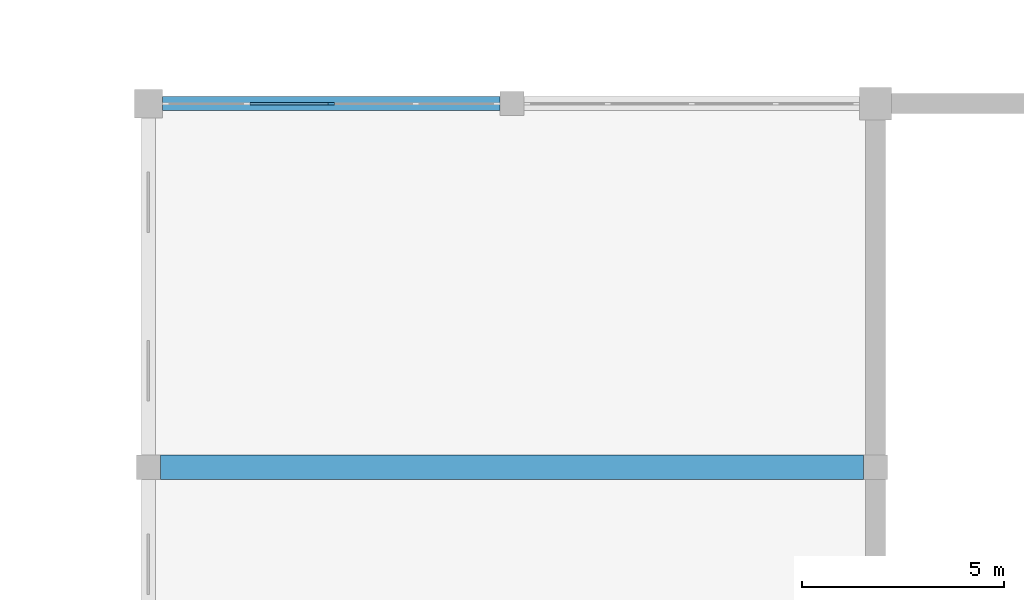
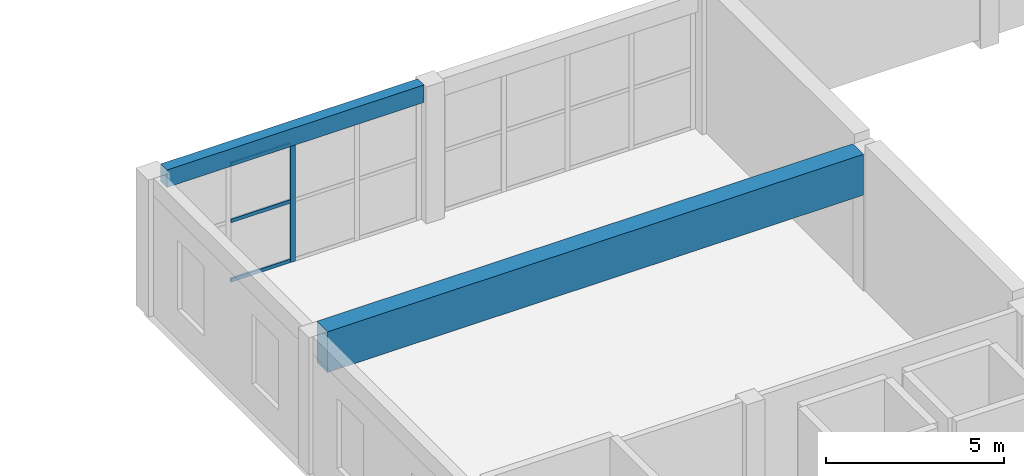
# One storey, part 10 of 34: 4 members, 2 beams, 1 element without a shape of its own.
"""IFC4 building model written with IfcOpenShell, lengths in metres."""

import ifcopenshell
import ifcopenshell.guid

model = None  # the IFC model being written
_history = None  # IfcOwnerHistory: only IFC2X3 demands one
_inside = {}  # id of a spatial element -> (the spatial element, [elements in it])
_under = {}  # id of a project, library or spatial element -> (it, [spatial elements below it])
_declared = {}  # id of a project -> (the project, [libraries it declares])
_typed = {}  # id of a type object -> (the type object, [elements of that type])
_made_of = {}  # id of a material, layer set ... -> (it, [elements and type objects made of it])


def new_model(schema):
    """Start an empty IFC model of exactly this schema.

    Asked for "IFC4X3", IfcOpenShell would pick the latest addendum, in which some entities
    have other attributes; the version numbers below select the first issue.
    IFC2X3 requires an IfcOwnerHistory on every rooted entity: one is made here for all.
    """
    global model, _history
    if schema == "IFC4X3":
        model = ifcopenshell.file(schema_version=(4, 3, 0, 0))
    else:
        model = ifcopenshell.file(schema=schema)
    _inside.clear()
    _under.clear()
    _declared.clear()
    _typed.clear()
    _made_of.clear()
    _history = None
    if model.schema == "IFC2X3":
        org = make("IfcOrganization", Name="unknown")
        user = make(
            "IfcPersonAndOrganization",
            ThePerson=make("IfcPerson", FamilyName="unknown"),
            TheOrganization=org,
        )
        app = make(
            "IfcApplication",
            ApplicationDeveloper=org,
            Version="unknown",
            ApplicationFullName="unknown",
            ApplicationIdentifier="unknown",
        )
        _history = make(
            "IfcOwnerHistory",
            OwningUser=user,
            OwningApplication=app,
            ChangeAction="ADDED",
            CreationDate=0,
        )
    return model


def make(cls, **values):
    """One entity of the class cls with the attributes given. An attribute that is None is left unset."""
    return model.create_entity(
        cls, **{name: value for name, value in values.items() if value is not None}
    )


def rooted(cls, **values):
    """An entity with a GlobalId (a new one), such as an element, a storey or a relation."""
    return make(cls, GlobalId=ifcopenshell.guid.new(), OwnerHistory=_history, **values)


def si_unit(unit_type, name, prefix=None):
    """IfcSIUnit, for example si_unit("LENGTHUNIT", "METRE", prefix="MILLI")."""
    return make("IfcSIUnit", UnitType=unit_type, Prefix=prefix, Name=name)


def assignment(units):
    """IfcUnitAssignment: the units of a project."""
    return None if units is None else make("IfcUnitAssignment", Units=units)


def point(xyz):
    """IfcCartesianPoint."""
    return None if xyz is None else make("IfcCartesianPoint", Coordinates=xyz)


def direction(xyz):
    """IfcDirection."""
    return None if xyz is None else make("IfcDirection", DirectionRatios=xyz)


def frame(location, z_axis=None, x_axis=None):
    """IfcAxis2Placement3D, a coordinate frame: its origin and axes. An axis left out is left unset."""
    return make(
        "IfcAxis2Placement3D",
        Location=point(location),
        Axis=direction(z_axis),
        RefDirection=direction(x_axis),
    )


def frame_2d(location, x_axis=None):
    """IfcAxis2Placement2D, a coordinate frame in the plane: its origin and x axis."""
    return make(
        "IfcAxis2Placement2D", Location=point(location), RefDirection=direction(x_axis)
    )


def origin():
    """The frame at (0, 0, 0) with its axes left unset."""
    return frame((0.0, 0.0, 0.0))


def origin_2d():
    """The frame at (0, 0) in the plane with its x axis left unset."""
    return frame_2d((0.0, 0.0))


def place(relative_to, where):
    """IfcLocalPlacement: puts the frame where relative to a parent placement (None: the world)."""
    return make(
        "IfcLocalPlacement", PlacementRelTo=relative_to, RelativePlacement=where
    )


def context(
    kind, dimensions, precision=None, world=None, true_north=None, identifier=None
):
    """IfcGeometricRepresentationContext, for example the 3D "Model" context."""
    return make(
        "IfcGeometricRepresentationContext",
        ContextIdentifier=identifier,
        ContextType=kind,
        CoordinateSpaceDimension=dimensions,
        Precision=precision,
        WorldCoordinateSystem=world,
        TrueNorth=true_north,
    )


def subcontext(parent, identifier, kind, view, scale=None):
    """IfcGeometricRepresentationSubContext, for example "Body" below "Model"."""
    return make(
        "IfcGeometricRepresentationSubContext",
        ContextIdentifier=identifier,
        ContextType=kind,
        ParentContext=parent,
        TargetScale=scale,
        TargetView=view,
    )


def project(units=None, contexts=None):
    """IfcProject with its units and contexts."""
    return rooted(
        "IfcProject",
        Name="project",
        RepresentationContexts=contexts,
        UnitsInContext=assignment(units),
    )


def spatial(cls, under=None, at=None, **own):
    """A site, building, storey or space (cls), placed at a placement, below another one or the project."""
    s = rooted(cls, ObjectPlacement=at, **own)
    if under is not None:
        _under.setdefault(under.id(), (under, []))[1].append(s)
    return s


def profile(cls, at=None, kind="AREA", **sizes):
    """A parametric profile (cls). Its sizes go by their IFC names, for example OverallWidth=200.0."""
    return make(cls, ProfileType=kind, Position=at, **sizes)


def rectangle(**sizes):
    """IfcRectangleProfileDef."""
    return profile("IfcRectangleProfileDef", **sizes)


def extrude(swept, where, along, depth):
    """IfcExtrudedAreaSolid: the profile swept, set in the frame where, extruded along a direction by depth."""
    return make(
        "IfcExtrudedAreaSolid",
        SweptArea=swept,
        Position=where,
        ExtrudedDirection=direction(along),
        Depth=depth,
    )


def shape(context_of_items, identifier, shape_type, items):
    """IfcShapeRepresentation: the items that make up one representation, for example the "Body"."""
    return make(
        "IfcShapeRepresentation",
        ContextOfItems=context_of_items,
        RepresentationIdentifier=identifier,
        RepresentationType=shape_type,
        Items=items,
    )


def material(Name=None, Category=None):
    """IfcMaterial."""
    return make("IfcMaterial", Name=Name, Category=Category)


def material_profile(
    of_material, cross_section, Name=None, Category=None, Priority=None
):
    """IfcMaterialProfile: a cross section and its material."""
    return make(
        "IfcMaterialProfile",
        Name=Name,
        Material=of_material,
        Profile=cross_section,
        Priority=Priority,
        Category=Category,
    )


def profile_set(profiles, Name=None, composite=None):
    """IfcMaterialProfileSet."""
    return make(
        "IfcMaterialProfileSet",
        Name=Name,
        MaterialProfiles=profiles,
        CompositeProfile=composite,
    )


def made_of(thing, what):
    """Note that an element or type object is made of a material, layer set ...; save() writes the relation."""
    if what is not None:
        _made_of.setdefault(what.id(), (what, []))[1].append(thing)
    return thing


def type_object(cls, material=None, **own):
    """A type object (cls), such as IfcWallType, which elements share."""
    return made_of(rooted(cls, **own), material)


def element(
    cls,
    number,
    at=None,
    inside=None,
    cuts=None,
    type_object=None,
    material=None,
    context=None,
    identifier="Body",
    shape_type=None,
    held_by="IfcProductDefinitionShape",
    body=None,
    shapes=None,
    **own,
):
    """One element of the class cls, such as IfcWall. Its Tag is "e" and its number.

    at: its placement. inside: the storey or other place that contains it. cuts: it is an
    opening in that element (IfcRelVoidsElement). A single representation is given by context,
    identifier, shape_type and body (its items); several are given by shapes. held_by: the class
    of the entity that holds the representations. save() writes the other relations.
    """
    e = rooted(cls, Tag="e%d" % number, ObjectPlacement=at, **own)
    if body is not None:
        shapes = [shape(context, identifier, shape_type, body)]
    if shapes is not None:
        e.Representation = make(held_by, Representations=shapes)
    if inside is not None:
        _inside.setdefault(inside.id(), (inside, []))[1].append(e)
    if cuts is not None:
        rooted(
            "IfcRelVoidsElement", RelatingBuildingElement=cuts, RelatedOpeningElement=e
        )
    if type_object is not None:
        _typed.setdefault(type_object.id(), (type_object, []))[1].append(e)
    return made_of(e, material)


def aggregate(whole, parts):
    """IfcRelAggregates: a whole, such as a stair, and the parts it consists of."""
    return rooted("IfcRelAggregates", RelatingObject=whole, RelatedObjects=parts)


def save(model, path):
    """Write the relations noted so far, then the file.

    IfcRelAggregates (storeys below a building ...), IfcRelContainedInSpatialStructure (elements
    in a storey), IfcRelDefinesByType, IfcRelAssociatesMaterial and IfcRelDeclares: one each for
    every whole, place, type object, material and project.
    """
    for whole, parts in _under.values():
        aggregate(whole, parts)
    for where, things in _inside.values():
        rooted(
            "IfcRelContainedInSpatialStructure",
            RelatedElements=things,
            RelatingStructure=where,
        )
    for kind, things in _typed.values():
        rooted("IfcRelDefinesByType", RelatedObjects=things, RelatingType=kind)
    for what, things in _made_of.values():
        rooted("IfcRelAssociatesMaterial", RelatedObjects=things, RelatingMaterial=what)
    for by, libraries in _declared.values():
        rooted("IfcRelDeclares", RelatingContext=by, RelatedDefinitions=libraries)
    model.write(path)


model = new_model("IFC4")

# Units and contexts
model_context = context("Model", 3, precision=1e-05, world=origin(), true_north=direction((0.0, 1.0)))
body_context = subcontext(model_context, "Body", "Model", "MODEL_VIEW")
ifc_project = project(units=[si_unit("LENGTHUNIT", "METRE"), si_unit("AREAUNIT", "SQUARE_METRE"), si_unit("VOLUMEUNIT", "CUBIC_METRE"), si_unit("PLANEANGLEUNIT", "RADIAN"), si_unit("MASSUNIT", "GRAM", prefix="KILO")], contexts=[model_context])

# Site, building, storey
site_placement = place(None, origin())
site = spatial("IfcSite", under=ifc_project, at=site_placement, CompositionType="ELEMENT")
building_placement = place(site_placement, origin())
building = spatial("IfcBuilding", under=site, at=building_placement, Name="Firuza Court", CompositionType="ELEMENT")
storey_placement = place(building_placement, frame((0.0, 0.0, 19.0)))
storey = spatial("IfcBuildingStorey", under=building, at=storey_placement, Name="L03", CompositionType="ELEMENT", Elevation=19.0)

# Curtain wall, members
ifc_material_1 = material(Name="Aluminium", Category="aluminium")
curtain_wall_type = type_object("IfcCurtainWallType", Name="CW6 FOYER CURTAIN WALL", PredefinedType="NOTDEFINED", material=ifc_material_1)
curtain_wall_placement = place(storey_placement, origin())
curtain_wall = element("IfcCurtainWall", 1, at=curtain_wall_placement, inside=storey, type_object=curtain_wall_type, Name="CW6 foyer curtain wall 9", PredefinedType="NOTDEFINED")
ifc_material_2 = material(Name="Aluminium", Category="aluminium")
ifc_material_profile_1 = material_profile(ifc_material_2, rectangle(XDim=0.06005859375, YDim=0.159912109375, at=origin_2d()), Name="MULLION 60X160")
ifc_profile_set_1 = profile_set([ifc_material_profile_1], Name="Aluminium")
member_type_1 = type_object("IfcMemberType", Name="CW6 MULLION 60X160", PredefinedType="MULLION", material=ifc_profile_set_1)
member_1_placement = place(storey_placement, frame((94.52490234375, 45.0, 0.0), z_axis=(0.0, 0.0, 1.0), x_axis=(0.0, 1.0, 0.0)))
member_1 = element("IfcMember", 2, at=member_1_placement, type_object=member_type_1, Name="CW6 mullion 3", PredefinedType="MULLION", context=body_context, shape_type="SweptSolid", body=[
    extrude(rectangle(XDim=0.06005859375, YDim=0.159912109375, at=origin_2d()), origin(), (0.0, 0.0, 1.0), 4.10009765625),
])
ifc_material_3 = material(Name="Aluminium", Category="aluminium")
ifc_material_profile_2 = material_profile(ifc_material_3, rectangle(XDim=0.06005859375, YDim=0.1201171875, at=origin_2d()), Name="TRANSOM 60X120")
ifc_profile_set_2 = profile_set([ifc_material_profile_2], Name="Aluminium")
member_type_2 = type_object("IfcMemberType", Name="CW6 TRANSOM 60X120", PredefinedType="USERDEFINED", material=ifc_profile_set_2)
member_2_placement = place(storey_placement, frame((92.517578125, 45.0, 0.06005859375), z_axis=(1.0, 0.0, 0.0), x_axis=(0.0, 1.0, 0.0)))
member_2 = element("IfcMember", 3, at=member_2_placement, type_object=member_type_2, Name="CW6 transom 2.1", ObjectType="TRANSOM", PredefinedType="USERDEFINED", context=body_context, shape_type="SweptSolid", body=[
    extrude(rectangle(XDim=0.06005859375, YDim=0.1201171875, at=origin_2d()), origin(), (0.0, 0.0, 1.0), 1.927490234375),
])
member_3_placement = place(storey_placement, frame((92.517578125, 45.0, 2.10009765625), z_axis=(1.0, 0.0, 0.0), x_axis=(0.0, 1.0, 0.0)))
member_3 = element("IfcMember", 4, at=member_3_placement, type_object=member_type_2, Name="CW6 transom 2.2", ObjectType="TRANSOM", PredefinedType="USERDEFINED", context=body_context, shape_type="SweptSolid", body=[
    extrude(rectangle(XDim=0.06005859375, YDim=0.1201171875, at=origin_2d()), origin(), (0.0, 0.0, 1.0), 1.927490234375),
])
member_4_placement = place(storey_placement, frame((92.517578125, 45.0, 4.0400390625), z_axis=(1.0, 0.0, 0.0), x_axis=(0.0, 1.0, 0.0)))
member_4 = element("IfcMember", 5, at=member_4_placement, type_object=member_type_2, Name="CW6 transom 2.3", ObjectType="TRANSOM", PredefinedType="USERDEFINED", context=body_context, shape_type="SweptSolid", body=[
    extrude(rectangle(XDim=0.06005859375, YDim=0.1201171875, at=origin_2d()), origin(), (0.0, 0.0, 1.0), 1.927490234375),
])
aggregate(curtain_wall, [member_1, member_2, member_3, member_4])

# Beams
ifc_material_4 = material(Name="Concrete C40/50", Category="concrete")
ifc_material_profile_3 = material_profile(ifc_material_4, rectangle(XDim=0.60009765625, YDim=1.39990234375, at=origin_2d()), Name="RC 600X1400")
ifc_profile_set_3 = profile_set([ifc_material_profile_3], Name="Concrete C40/50")
beam_type_1 = type_object("IfcBeamType", Name="RC GIRDER 600X1400", PredefinedType="BEAM", material=ifc_profile_set_3)
beam_1_placement = place(storey_placement, frame((90.300537109375, 36.0, 4.0), z_axis=(1.0, 0.0, 0.0), x_axis=(0.0, 1.0, 0.0)))
element("IfcBeam", 6, at=beam_1_placement, inside=storey, type_object=beam_type_1, Name="Girder 36 L03", PredefinedType="BEAM", context=body_context, shape_type="SweptSolid", body=[
    extrude(rectangle(XDim=0.60009765625, YDim=1.39990234375, at=origin_2d()), origin(), (0.0, 0.0, 1.0), 17.39892578125),
])
ifc_material_5 = material(Name="Concrete C40/50", Category="concrete")
ifc_material_profile_4 = material_profile(ifc_material_5, rectangle(XDim=0.35009765625, YDim=0.60009765625, at=origin_2d()), Name="RC 350X600")
ifc_profile_set_4 = profile_set([ifc_material_profile_4], Name="Concrete C40/50")
beam_type_2 = type_object("IfcBeamType", Name="RC SPANDREL BEAM 350X600", PredefinedType="BEAM", material=ifc_profile_set_4)
beam_2_placement = place(storey_placement, frame((90.35009765625, 45.0, 4.39990234375), z_axis=(1.0, 0.0, 0.0), x_axis=(0.0, 1.0, 0.0)))
element("IfcBeam", 7, at=beam_2_placement, inside=storey, type_object=beam_type_2, Name="Edge beam N2.1 L03", PredefinedType="BEAM", context=body_context, shape_type="SweptSolid", body=[
    extrude(rectangle(XDim=0.35009765625, YDim=0.60009765625, at=origin_2d()), origin(), (0.0, 0.0, 1.0), 8.349853515625),
])

save(model, "model.ifc")
